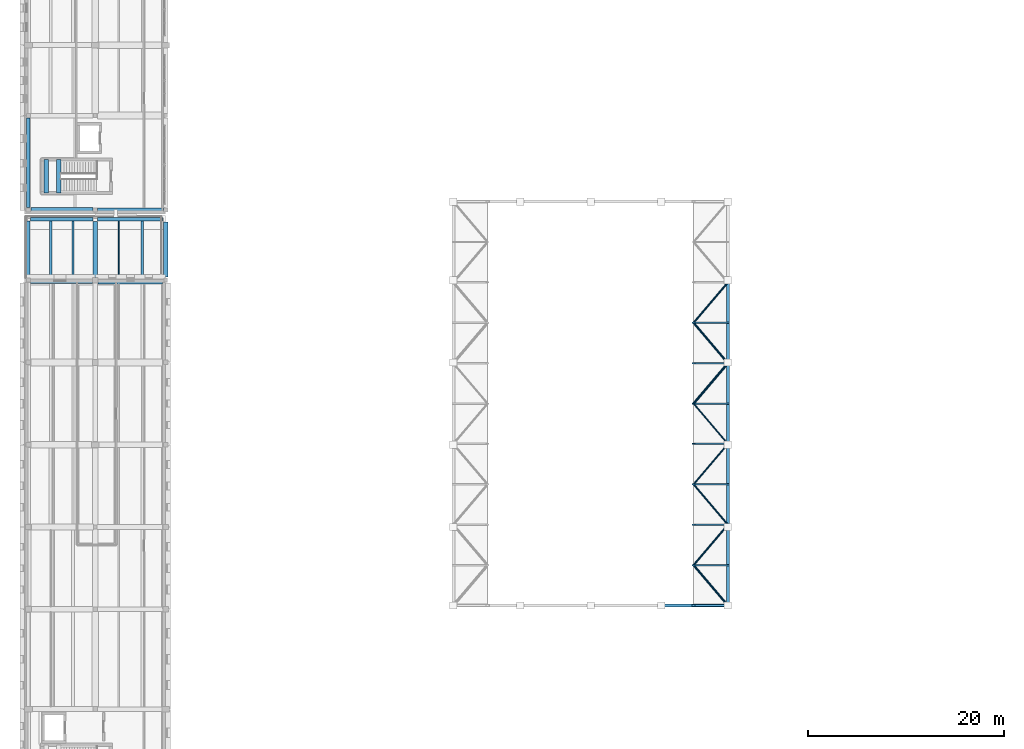
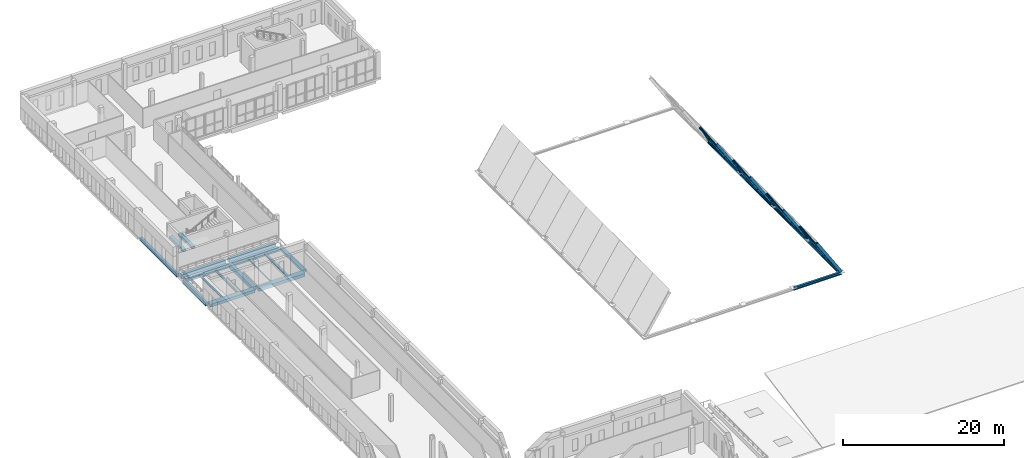
# One storey, part 13 of 56: 25 beams, 16 members.
"""IFC4 building model written with IfcOpenShell, lengths in metres."""

import ifcopenshell
import ifcopenshell.guid

model = None  # the IFC model being written
_history = None  # IfcOwnerHistory: only IFC2X3 demands one
_inside = {}  # id of a spatial element -> (the spatial element, [elements in it])
_under = {}  # id of a project, library or spatial element -> (it, [spatial elements below it])
_declared = {}  # id of a project -> (the project, [libraries it declares])
_typed = {}  # id of a type object -> (the type object, [elements of that type])
_made_of = {}  # id of a material, layer set ... -> (it, [elements and type objects made of it])


def new_model(schema):
    """Start an empty IFC model of exactly this schema.

    Asked for "IFC4X3", IfcOpenShell would pick the latest addendum, in which some entities
    have other attributes; the version numbers below select the first issue.
    IFC2X3 requires an IfcOwnerHistory on every rooted entity: one is made here for all.
    """
    global model, _history
    if schema == "IFC4X3":
        model = ifcopenshell.file(schema_version=(4, 3, 0, 0))
    else:
        model = ifcopenshell.file(schema=schema)
    _inside.clear()
    _under.clear()
    _declared.clear()
    _typed.clear()
    _made_of.clear()
    _history = None
    if model.schema == "IFC2X3":
        org = make("IfcOrganization", Name="unknown")
        user = make(
            "IfcPersonAndOrganization",
            ThePerson=make("IfcPerson", FamilyName="unknown"),
            TheOrganization=org,
        )
        app = make(
            "IfcApplication",
            ApplicationDeveloper=org,
            Version="unknown",
            ApplicationFullName="unknown",
            ApplicationIdentifier="unknown",
        )
        _history = make(
            "IfcOwnerHistory",
            OwningUser=user,
            OwningApplication=app,
            ChangeAction="ADDED",
            CreationDate=0,
        )
    return model


def make(cls, **values):
    """One entity of the class cls with the attributes given. An attribute that is None is left unset."""
    return model.create_entity(
        cls, **{name: value for name, value in values.items() if value is not None}
    )


def rooted(cls, **values):
    """An entity with a GlobalId (a new one), such as an element, a storey or a relation."""
    return make(cls, GlobalId=ifcopenshell.guid.new(), OwnerHistory=_history, **values)


def si_unit(unit_type, name, prefix=None):
    """IfcSIUnit, for example si_unit("LENGTHUNIT", "METRE", prefix="MILLI")."""
    return make("IfcSIUnit", UnitType=unit_type, Prefix=prefix, Name=name)


def assignment(units):
    """IfcUnitAssignment: the units of a project."""
    return None if units is None else make("IfcUnitAssignment", Units=units)


def point(xyz):
    """IfcCartesianPoint."""
    return None if xyz is None else make("IfcCartesianPoint", Coordinates=xyz)


def direction(xyz):
    """IfcDirection."""
    return None if xyz is None else make("IfcDirection", DirectionRatios=xyz)


def frame(location, z_axis=None, x_axis=None):
    """IfcAxis2Placement3D, a coordinate frame: its origin and axes. An axis left out is left unset."""
    return make(
        "IfcAxis2Placement3D",
        Location=point(location),
        Axis=direction(z_axis),
        RefDirection=direction(x_axis),
    )


def frame_2d(location, x_axis=None):
    """IfcAxis2Placement2D, a coordinate frame in the plane: its origin and x axis."""
    return make(
        "IfcAxis2Placement2D", Location=point(location), RefDirection=direction(x_axis)
    )


def origin():
    """The frame at (0, 0, 0) with its axes left unset."""
    return frame((0.0, 0.0, 0.0))


def origin_2d():
    """The frame at (0, 0) in the plane with its x axis left unset."""
    return frame_2d((0.0, 0.0))


def place(relative_to, where):
    """IfcLocalPlacement: puts the frame where relative to a parent placement (None: the world)."""
    return make(
        "IfcLocalPlacement", PlacementRelTo=relative_to, RelativePlacement=where
    )


def context(
    kind, dimensions, precision=None, world=None, true_north=None, identifier=None
):
    """IfcGeometricRepresentationContext, for example the 3D "Model" context."""
    return make(
        "IfcGeometricRepresentationContext",
        ContextIdentifier=identifier,
        ContextType=kind,
        CoordinateSpaceDimension=dimensions,
        Precision=precision,
        WorldCoordinateSystem=world,
        TrueNorth=true_north,
    )


def subcontext(parent, identifier, kind, view, scale=None):
    """IfcGeometricRepresentationSubContext, for example "Body" below "Model"."""
    return make(
        "IfcGeometricRepresentationSubContext",
        ContextIdentifier=identifier,
        ContextType=kind,
        ParentContext=parent,
        TargetScale=scale,
        TargetView=view,
    )


def project(units=None, contexts=None):
    """IfcProject with its units and contexts."""
    return rooted(
        "IfcProject",
        Name="project",
        RepresentationContexts=contexts,
        UnitsInContext=assignment(units),
    )


def spatial(cls, under=None, at=None, **own):
    """A site, building, storey or space (cls), placed at a placement, below another one or the project."""
    s = rooted(cls, ObjectPlacement=at, **own)
    if under is not None:
        _under.setdefault(under.id(), (under, []))[1].append(s)
    return s


def profile(cls, at=None, kind="AREA", **sizes):
    """A parametric profile (cls). Its sizes go by their IFC names, for example OverallWidth=200.0."""
    return make(cls, ProfileType=kind, Position=at, **sizes)


def rectangle(**sizes):
    """IfcRectangleProfileDef."""
    return profile("IfcRectangleProfileDef", **sizes)


def hollow_rectangle(**sizes):
    """IfcRectangleHollowProfileDef."""
    return profile("IfcRectangleHollowProfileDef", **sizes)


def hollow_circle(**sizes):
    """IfcCircleHollowProfileDef."""
    return profile("IfcCircleHollowProfileDef", **sizes)


def i_section(**sizes):
    """IfcIShapeProfileDef."""
    return profile("IfcIShapeProfileDef", **sizes)


def extrude(swept, where, along, depth):
    """IfcExtrudedAreaSolid: the profile swept, set in the frame where, extruded along a direction by depth."""
    return make(
        "IfcExtrudedAreaSolid",
        SweptArea=swept,
        Position=where,
        ExtrudedDirection=direction(along),
        Depth=depth,
    )


def shape(context_of_items, identifier, shape_type, items):
    """IfcShapeRepresentation: the items that make up one representation, for example the "Body"."""
    return make(
        "IfcShapeRepresentation",
        ContextOfItems=context_of_items,
        RepresentationIdentifier=identifier,
        RepresentationType=shape_type,
        Items=items,
    )


def material(Name=None, Category=None):
    """IfcMaterial."""
    return make("IfcMaterial", Name=Name, Category=Category)


def material_profile(
    of_material, cross_section, Name=None, Category=None, Priority=None
):
    """IfcMaterialProfile: a cross section and its material."""
    return make(
        "IfcMaterialProfile",
        Name=Name,
        Material=of_material,
        Profile=cross_section,
        Priority=Priority,
        Category=Category,
    )


def profile_set(profiles, Name=None, composite=None):
    """IfcMaterialProfileSet."""
    return make(
        "IfcMaterialProfileSet",
        Name=Name,
        MaterialProfiles=profiles,
        CompositeProfile=composite,
    )


def made_of(thing, what):
    """Note that an element or type object is made of a material, layer set ...; save() writes the relation."""
    if what is not None:
        _made_of.setdefault(what.id(), (what, []))[1].append(thing)
    return thing


def type_object(cls, material=None, **own):
    """A type object (cls), such as IfcWallType, which elements share."""
    return made_of(rooted(cls, **own), material)


def element(
    cls,
    number,
    at=None,
    inside=None,
    cuts=None,
    type_object=None,
    material=None,
    context=None,
    identifier="Body",
    shape_type=None,
    held_by="IfcProductDefinitionShape",
    body=None,
    shapes=None,
    **own,
):
    """One element of the class cls, such as IfcWall. Its Tag is "e" and its number.

    at: its placement. inside: the storey or other place that contains it. cuts: it is an
    opening in that element (IfcRelVoidsElement). A single representation is given by context,
    identifier, shape_type and body (its items); several are given by shapes. held_by: the class
    of the entity that holds the representations. save() writes the other relations.
    """
    e = rooted(cls, Tag="e%d" % number, ObjectPlacement=at, **own)
    if body is not None:
        shapes = [shape(context, identifier, shape_type, body)]
    if shapes is not None:
        e.Representation = make(held_by, Representations=shapes)
    if inside is not None:
        _inside.setdefault(inside.id(), (inside, []))[1].append(e)
    if cuts is not None:
        rooted(
            "IfcRelVoidsElement", RelatingBuildingElement=cuts, RelatedOpeningElement=e
        )
    if type_object is not None:
        _typed.setdefault(type_object.id(), (type_object, []))[1].append(e)
    return made_of(e, material)


def aggregate(whole, parts):
    """IfcRelAggregates: a whole, such as a stair, and the parts it consists of."""
    return rooted("IfcRelAggregates", RelatingObject=whole, RelatedObjects=parts)


def save(model, path):
    """Write the relations noted so far, then the file.

    IfcRelAggregates (storeys below a building ...), IfcRelContainedInSpatialStructure (elements
    in a storey), IfcRelDefinesByType, IfcRelAssociatesMaterial and IfcRelDeclares: one each for
    every whole, place, type object, material and project.
    """
    for whole, parts in _under.values():
        aggregate(whole, parts)
    for where, things in _inside.values():
        rooted(
            "IfcRelContainedInSpatialStructure",
            RelatedElements=things,
            RelatingStructure=where,
        )
    for kind, things in _typed.values():
        rooted("IfcRelDefinesByType", RelatedObjects=things, RelatingType=kind)
    for what, things in _made_of.values():
        rooted("IfcRelAssociatesMaterial", RelatedObjects=things, RelatingMaterial=what)
    for by, libraries in _declared.values():
        rooted("IfcRelDeclares", RelatingContext=by, RelatedDefinitions=libraries)
    model.write(path)


model = new_model("IFC4")

# Units and contexts
model_context = context("Model", 3, precision=1e-05, world=origin(), true_north=direction((0.0, 1.0)))
body_context = subcontext(model_context, "Body", "Model", "MODEL_VIEW")
ifc_project = project(units=[si_unit("LENGTHUNIT", "METRE"), si_unit("AREAUNIT", "SQUARE_METRE"), si_unit("VOLUMEUNIT", "CUBIC_METRE"), si_unit("PLANEANGLEUNIT", "RADIAN"), si_unit("MASSUNIT", "GRAM", prefix="KILO")], contexts=[model_context])

# Site, building, storey
site_placement = place(None, origin())
site = spatial("IfcSite", under=ifc_project, at=site_placement, CompositionType="ELEMENT")
building_placement = place(site_placement, origin())
building = spatial("IfcBuilding", under=site, at=building_placement, Name="Vardoun Plaza Health Centre", CompositionType="ELEMENT")
storey_placement = place(building_placement, frame((0.0, 0.0, 8.699951171875)))
storey = spatial("IfcBuildingStorey", under=building, at=storey_placement, Name="L02", CompositionType="ELEMENT", Elevation=8.699951171875)

# Beams
ifc_material_1 = material(Name="Concrete C35/45", Category="concrete")
ifc_material_profile_1 = material_profile(ifc_material_1, rectangle(XDim=0.35009765625, YDim=0.5, at=origin_2d()), Name="RC-BM 350x500")
ifc_profile_set_1 = profile_set([ifc_material_profile_1], Name="Concrete C35/45")
beam_type_1 = type_object("IfcBeamType", Name="B-08", PredefinedType="SPANDREL", material=ifc_profile_set_1)
beam_1_placement = place(storey_placement, frame((4.8798828125, 70.125, -0.530029296875), z_axis=(0.0, 1.0, 0.0), x_axis=(-1.0, 0.0, 0.0)))
element("IfcBeam", 1, at=beam_1_placement, inside=storey, type_object=beam_type_1, Name="V2 L02 Beam B-V2-L02-Y41", PredefinedType="SPANDREL", context=body_context, shape_type="SweptSolid", body=[
    extrude(rectangle(XDim=0.35009765625, YDim=0.5, at=origin_2d()), origin(), (0.0, 0.0, 1.0), 5.794921875),
])
beam_2_placement = place(storey_placement, frame((4.8798828125, 77.31005859375, -0.514892578125), z_axis=(0.0, 1.0, 0.0), x_axis=(-1.0, 0.0, 0.0)))
element("IfcBeam", 2, at=beam_2_placement, inside=storey, type_object=beam_type_1, Name="V3 L02 Beam B-V3-L02-Y25", PredefinedType="SPANDREL", context=body_context, shape_type="SweptSolid", body=[
    extrude(rectangle(XDim=0.35009765625, YDim=0.5, at=origin_2d()), origin(), (0.0, 0.0, 1.0), 9.1650390625),
])
ifc_material_2 = material(Name="Concrete C35/45", Category="concrete")
ifc_material_profile_2 = material_profile(ifc_material_2, rectangle(XDim=0.39990234375, YDim=0.550048828125, at=origin_2d()), Name="RC-BM 400x550")
ifc_profile_set_2 = profile_set([ifc_material_profile_2], Name="Concrete C35/45")
beam_type_2 = type_object("IfcBeamType", Name="B-09", PredefinedType="SPANDREL", material=ifc_profile_set_2)
beam_3_placement = place(storey_placement, frame((5.080078125, 76.1201171875, -0.554931640625), z_axis=(1.0, 0.0, 0.0), x_axis=(0.0, 1.0, 0.0)))
element("IfcBeam", 3, at=beam_3_placement, inside=storey, type_object=beam_type_2, Name="V2 L02 Beam B-V2-L02-X10", PredefinedType="SPANDREL", context=body_context, shape_type="SweptSolid", body=[
    extrude(rectangle(XDim=0.39990234375, YDim=0.550048828125, at=origin_2d()), origin(), (0.0, 0.0, 1.0), 6.369873046875),
])
beam_4_placement = place(storey_placement, frame((11.949951171875, 76.1201171875, -0.554931640625), z_axis=(1.0, 0.0, 0.0), x_axis=(0.0, 1.0, 0.0)))
element("IfcBeam", 4, at=beam_4_placement, inside=storey, type_object=beam_type_2, Name="V2 L02 Beam B-V2-L02-X20", PredefinedType="SPANDREL", context=body_context, shape_type="SweptSolid", body=[
    extrude(rectangle(XDim=0.39990234375, YDim=0.550048828125, at=origin_2d()), origin(), (0.0, 0.0, 1.0), 6.650146484375),
])
ifc_material_3 = material(Name="Concrete C35/45", Category="concrete")
ifc_material_profile_3 = material_profile(ifc_material_3, rectangle(XDim=0.449951171875, YDim=0.3798828125, at=origin_2d()), Name="RC-BM 450x380")
ifc_profile_set_3 = profile_set([ifc_material_profile_3], Name="Concrete C35/45")
beam_type_3 = type_object("IfcBeamType", Name="B-01", PredefinedType="BEAM", material=ifc_profile_set_3)
for number, where, z_axis, x_axis, name in (
    (5, (6.679931640625, 78.800048828125, 1.7099609375), (0.0, 1.0, 0.0), (-1.0, 0.0, 0.0), "Stair ST-C3-L02 Landing Beam 1"),
    (6, (7.9599609375, 78.800048828125, 1.7099609375), (0.0, 1.0, 0.0), (-1.0, 0.0, 0.0), "Stair ST-C3-L02 Landing Beam 2"),
):
    element("IfcBeam", number, at=place(storey_placement, frame(where, z_axis=z_axis, x_axis=x_axis)), inside=storey, type_object=beam_type_3, Name=name, PredefinedType="BEAM", context=body_context, shape_type="SweptSolid", body=[
        extrude(rectangle(XDim=0.449951171875, YDim=0.3798828125, at=origin_2d()), origin(), (0.0, 0.0, 1.0), 3.39990234375),
    ])
ifc_material_4 = material(Name="Concrete C35/45", Category="concrete")
ifc_material_profile_4 = material_profile(ifc_material_4, rectangle(XDim=0.449951171875, YDim=0.60009765625, at=origin_2d()), Name="RC-BM 450x600")
ifc_profile_set_4 = profile_set([ifc_material_profile_4], Name="Concrete C35/45")
beam_type_4 = type_object("IfcBeamType", Name="B-11", PredefinedType="SPANDREL", material=ifc_profile_set_4)
beam_5_placement = place(storey_placement, frame((11.949951171875, 77.06005859375, -0.56494140625), z_axis=(1.0, 0.0, 0.0), x_axis=(0.0, 1.0, 0.0)))
element("IfcBeam", 7, at=beam_5_placement, inside=storey, type_object=beam_type_4, Name="V3 L02 Beam B-V3-L02-X07", PredefinedType="SPANDREL", context=body_context, shape_type="SweptSolid", body=[
    extrude(rectangle(XDim=0.449951171875, YDim=0.60009765625, at=origin_2d()), origin(), (0.0, 0.0, 1.0), 6.699951171875),
])
ifc_material_5 = material(Name="Concrete C35/45", Category="concrete")
ifc_material_profile_5 = material_profile(ifc_material_5, rectangle(XDim=0.47998046875, YDim=0.6201171875, at=origin_2d()), Name="RC-BM 480x620")
ifc_profile_set_5 = profile_set([ifc_material_profile_5], Name="Concrete C35/45")
beam_type_5 = type_object("IfcBeamType", Name="B-12", PredefinedType="SPANDREL", material=ifc_profile_set_5)
beam_6_placement = place(storey_placement, frame((5.1298828125, 77.06005859375, -0.574951171875), z_axis=(1.0, 0.0, 0.0), x_axis=(0.0, 1.0, 0.0)))
element("IfcBeam", 8, at=beam_6_placement, inside=storey, type_object=beam_type_5, Name="V3 L02 Beam B-V3-L02-X01", PredefinedType="SPANDREL", context=body_context, shape_type="SweptSolid", body=[
    extrude(rectangle(XDim=0.47998046875, YDim=0.6201171875, at=origin_2d()), origin(), (0.0, 0.0, 1.0), 6.320068359375),
])
ifc_material_6 = material(Name="Concrete C35/45", Category="concrete")
ifc_material_profile_6 = material_profile(ifc_material_6, rectangle(XDim=0.5, YDim=0.39990234375, at=origin_2d()), Name="RC-BM 500x400")
ifc_profile_set_6 = profile_set([ifc_material_profile_6], Name="Concrete C35/45")
beam_type_6 = type_object("IfcBeamType", Name="B-02", PredefinedType="BEAM", material=ifc_profile_set_6)
beam_7_placement = place(storey_placement, frame((18.89990234375, 70.22509765625, -0.47998046875), z_axis=(0.0, 1.0, 0.0), x_axis=(-1.0, 0.0, 0.0)))
element("IfcBeam", 9, at=beam_7_placement, inside=storey, type_object=beam_type_6, Name="V2 L02 Beam B-V2-L02-Y57", PredefinedType="BEAM", context=body_context, shape_type="SweptSolid", body=[
    extrude(rectangle(XDim=0.5, YDim=0.39990234375, at=origin_2d()), origin(), (0.0, 0.0, 1.0), 5.594970703125),
])
ifc_material_7 = material(Name="Concrete C40/50", Category="concrete")
ifc_material_profile_7 = material_profile(ifc_material_7, rectangle(XDim=0.5, YDim=0.64990234375, at=origin_2d()), Name="RC-BM 500x650")
ifc_profile_set_7 = profile_set([ifc_material_profile_7], Name="Concrete C40/50")
beam_type_7 = type_object("IfcBeamType", Name="B-13", PredefinedType="BEAM", material=ifc_profile_set_7)
beam_8_placement = place(storey_placement, frame((11.699951171875, 70.175048828125, -0.60498046875), z_axis=(0.0, 1.0, 0.0), x_axis=(-1.0, 0.0, 0.0)))
element("IfcBeam", 10, at=beam_8_placement, inside=storey, type_object=beam_type_7, Name="V2 L02 Beam B-V2-L02-Y48", PredefinedType="BEAM", context=body_context, shape_type="SweptSolid", body=[
    extrude(rectangle(XDim=0.5, YDim=0.64990234375, at=origin_2d()), origin(), (0.0, 0.0, 1.0), 5.695068359375),
])
ifc_material_8 = material(Name="Concrete C35/45", Category="concrete")
ifc_material_profile_8 = material_profile(ifc_material_8, rectangle(XDim=0.699951171875, YDim=0.449951171875, at=origin_2d()), Name="RC-BM 700x450")
ifc_profile_set_8 = profile_set([ifc_material_profile_8], Name="Concrete C35/45")
beam_type_8 = type_object("IfcBeamType", Name="B-06", PredefinedType="BEAM", material=ifc_profile_set_8)
beam_9_placement = place(storey_placement, frame((5.10498046875, 69.900146484375, -0.5048828125), z_axis=(1.0, 0.0, 0.0), x_axis=(0.0, 1.0, 0.0)))
element("IfcBeam", 11, at=beam_9_placement, inside=storey, type_object=beam_type_8, Name="V2 L02 Beam B-V2-L02-X09", PredefinedType="BEAM", context=body_context, shape_type="SweptSolid", body=[
    extrude(rectangle(XDim=0.699951171875, YDim=0.449951171875, at=origin_2d()), origin(), (0.0, 0.0, 1.0), 6.320068359375),
])
ifc_material_9 = material(Name="Concrete C35/45", Category="concrete")
ifc_material_profile_9 = material_profile(ifc_material_9, rectangle(XDim=0.75, YDim=0.47998046875, at=origin_2d()), Name="RC-BM 750x480")
ifc_profile_set_9 = profile_set([ifc_material_profile_9], Name="Concrete C35/45")
beam_type_9 = type_object("IfcBeamType", Name="B-07", PredefinedType="BEAM", material=ifc_profile_set_9)
beam_10_placement = place(storey_placement, frame((11.97509765625, 69.900146484375, -0.52001953125), z_axis=(1.0, 0.0, 0.0), x_axis=(0.0, 1.0, 0.0)))
element("IfcBeam", 12, at=beam_10_placement, inside=storey, type_object=beam_type_9, Name="V2 L02 Beam B-V2-L02-X19", PredefinedType="BEAM", context=body_context, shape_type="SweptSolid", body=[
    extrude(rectangle(XDim=0.75, YDim=0.47998046875, at=origin_2d()), origin(), (0.0, 0.0, 1.0), 6.599853515625),
])
ifc_material_10 = material(Name="Steel S355J2", Category="steel")
ifc_material_profile_10 = material_profile(ifc_material_10, i_section(OverallWidth=0.219970703125, OverallDepth=0.2099609375, WebThickness=0.007080078125, FlangeThickness=0.010986328125, FilletRadius=0.01806640625, at=origin_2d()), Name="HEA 220")
ifc_profile_set_10 = profile_set([ifc_material_profile_10], Name="Steel S355J2")
beam_type_10 = type_object("IfcBeamType", Name="SB-08", PredefinedType="BEAM", material=ifc_profile_set_10)
beam_11_placement = place(storey_placement, frame((7.153076171875, 70.25, -0.385009765625), z_axis=(0.0, 1.0, 0.0), x_axis=(-1.0, 0.0, 0.0)))
element("IfcBeam", 13, at=beam_11_placement, inside=storey, type_object=beam_type_10, Name="V2 L02 Secondary Floor Beam SJ-V2-L02-07", PredefinedType="BEAM", context=body_context, shape_type="SweptSolid", body=[
    extrude(i_section(OverallWidth=0.219970703125, OverallDepth=0.2099609375, WebThickness=0.007080078125, FlangeThickness=0.010986328125, FilletRadius=0.01806640625, at=origin_2d()), origin(), (0.0, 0.0, 1.0), 5.669921875),
])
ifc_material_11 = material(Name="Steel S355J2", Category="steel")
ifc_material_profile_11 = material_profile(ifc_material_11, i_section(OverallWidth=0.280029296875, OverallDepth=0.280029296875, WebThickness=0.010498046875, FlangeThickness=0.01806640625, FilletRadius=0.02392578125, at=origin_2d()), Name="HEB 280")
ifc_profile_set_11 = profile_set([ifc_material_profile_11], Name="Steel S355J2")
beam_type_11 = type_object("IfcBeamType", Name="SB-02", PredefinedType="BEAM", material=ifc_profile_set_11)
beam_12_placement = place(storey_placement, frame((16.500244140625, 70.275146484375, -0.419921875), z_axis=(0.0, 1.0, 0.0), x_axis=(-1.0, 0.0, 0.0)))
element("IfcBeam", 14, at=beam_12_placement, inside=storey, type_object=beam_type_11, Name="V2 L02 Secondary Floor Beam SJ-V2-L02-28", PredefinedType="BEAM", context=body_context, shape_type="SweptSolid", body=[
    extrude(i_section(OverallWidth=0.280029296875, OverallDepth=0.280029296875, WebThickness=0.010498046875, FlangeThickness=0.01806640625, FilletRadius=0.02392578125, at=origin_2d()), origin(), (0.0, 0.0, 1.0), 5.644775390625),
])
ifc_material_12 = material(Name="Steel S355J2", Category="steel")
ifc_material_profile_12 = material_profile(ifc_material_12, i_section(OverallWidth=0.300048828125, OverallDepth=0.39990234375, WebThickness=0.013427734375, FlangeThickness=0.02392578125, FilletRadius=0.027099609375, at=origin_2d()), Name="HEB 400")
ifc_profile_set_12 = profile_set([ifc_material_profile_12], Name="Steel S355J2")
beam_type_12 = type_object("IfcBeamType", Name="RB-03", PredefinedType="BEAM", material=ifc_profile_set_12)
beam_13_placement = place(storey_placement, frame((69.47998046875, 36.679931640625, -0.5), z_axis=(1.0, 0.0, 0.0), x_axis=(0.0, 1.0, 0.0)))
element("IfcBeam", 15, at=beam_13_placement, inside=storey, type_object=beam_type_12, Name="Gridshell Gable Tie Beam S04", PredefinedType="BEAM", context=body_context, shape_type="SweptSolid", body=[
    extrude(i_section(OverallWidth=0.300048828125, OverallDepth=0.39990234375, WebThickness=0.013427734375, FlangeThickness=0.02392578125, FilletRadius=0.027099609375, at=origin_2d()), origin(), (0.0, 0.0, 1.0), 6.820068359375),
])
ifc_material_13 = material(Name="Steel S355J2", Category="steel")
ifc_material_profile_13 = material_profile(ifc_material_13, i_section(OverallWidth=0.300048828125, OverallDepth=0.449951171875, WebThickness=0.013916015625, FlangeThickness=0.02587890625, FilletRadius=0.027099609375, at=origin_2d()), Name="HEB 450")
ifc_profile_set_13 = profile_set([ifc_material_profile_13], Name="Steel S355J2")
beam_type_13 = type_object("IfcBeamType", Name="RB-02", PredefinedType="BEAM", material=ifc_profile_set_13)
for number, where, z_axis, x_axis, name in (
    (16, (76.300048828125, 36.679931640625, -0.550048828125), (0.0, 1.0, 0.0), (-1.0, 0.0, 0.0), "Gridshell Ring Beam E01"),
    (17, (76.300048828125, 40.803955078125, -0.550048828125), (0.0, 1.0, 0.0), (-1.0, 0.0, 0.0), "Gridshell Ring Beam E02"),
    (18, (76.300048828125, 44.927978515625, -0.550048828125), (0.0, 1.0, 0.0), (-1.0, 0.0, 0.0), "Gridshell Ring Beam E03"),
    (19, (76.300048828125, 49.052001953125, -0.550048828125), (0.0, 1.0, 0.0), (-1.0, 0.0, 0.0), "Gridshell Ring Beam E04"),
    (20, (76.300048828125, 53.176025390625, -0.550048828125), (0.0, 1.0, 0.0), (-1.0, 0.0, 0.0), "Gridshell Ring Beam E05"),
    (21, (76.300048828125, 57.300048828125, -0.550048828125), (0.0, 1.0, 0.0), (-1.0, 0.0, 0.0), "Gridshell Ring Beam E06"),
    (22, (76.300048828125, 61.424072265625, -0.550048828125), (0.0, 1.0, 0.0), (-1.0, 0.0, 0.0), "Gridshell Ring Beam E07"),
    (23, (76.300048828125, 65.548095703125, -0.550048828125), (0.0, 1.0, 0.0), (-1.0, 0.0, 0.0), "Gridshell Ring Beam E08"),
):
    element("IfcBeam", number, at=place(storey_placement, frame(where, z_axis=z_axis, x_axis=x_axis)), inside=storey, type_object=beam_type_13, Name=name, PredefinedType="BEAM", context=body_context, shape_type="SweptSolid", body=[
        extrude(i_section(OverallWidth=0.300048828125, OverallDepth=0.449951171875, WebThickness=0.013916015625, FlangeThickness=0.02587890625, FilletRadius=0.027099609375, at=origin_2d()), origin(), (0.0, 0.0, 1.0), 4.1240234375),
    ])
ifc_material_14 = material(Name="Steel S355J2", Category="steel")
ifc_material_profile_14 = material_profile(ifc_material_14, i_section(OverallWidth=0.091064453125, OverallDepth=0.179931640625, WebThickness=0.00537109375, FlangeThickness=0.008056640625, FilletRadius=0.009033203125, at=origin_2d()), Name="IPE 180")
ifc_profile_set_14 = profile_set([ifc_material_profile_14], Name="Steel S355J2")
beam_type_14 = type_object("IfcBeamType", Name="SB-20", PredefinedType="SPANDREL", material=ifc_profile_set_14)
beam_14_placement = place(storey_placement, frame((14.099853515625, 70.275146484375, -0.369873046875), z_axis=(0.0, 1.0, 0.0), x_axis=(-1.0, 0.0, 0.0)))
element("IfcBeam", 24, at=beam_14_placement, inside=storey, type_object=beam_type_14, Name="V2 L02 Secondary Floor Beam SJ-V2-L02-21", PredefinedType="SPANDREL", context=body_context, shape_type="SweptSolid", body=[
    extrude(i_section(OverallWidth=0.091064453125, OverallDepth=0.179931640625, WebThickness=0.00537109375, FlangeThickness=0.008056640625, FilletRadius=0.009033203125, at=origin_2d()), origin(), (0.0, 0.0, 1.0), 5.644775390625),
])
ifc_material_15 = material(Name="Steel S355J2", Category="steel")
ifc_material_profile_15 = material_profile(ifc_material_15, i_section(OverallWidth=0.169921875, OverallDepth=0.360107421875, WebThickness=0.008056640625, FlangeThickness=0.0126953125, FilletRadius=0.01806640625, at=origin_2d()), Name="IPE 360")
ifc_profile_set_15 = profile_set([ifc_material_profile_15], Name="Steel S355J2")
beam_type_15 = type_object("IfcBeamType", Name="SB-13", PredefinedType="JOIST", material=ifc_profile_set_15)
beam_15_placement = place(storey_placement, frame((9.427001953125, 70.25, -0.4599609375), z_axis=(0.0, 1.0, 0.0), x_axis=(-1.0, 0.0, 0.0)))
element("IfcBeam", 25, at=beam_15_placement, inside=storey, type_object=beam_type_15, Name="V2 L02 Secondary Floor Beam SJ-V2-L02-14", PredefinedType="JOIST", context=body_context, shape_type="SweptSolid", body=[
    extrude(i_section(OverallWidth=0.169921875, OverallDepth=0.360107421875, WebThickness=0.008056640625, FlangeThickness=0.0126953125, FilletRadius=0.01806640625, at=origin_2d()), origin(), (0.0, 0.0, 1.0), 5.669921875),
])

# Members
ifc_material_16 = material(Name="Steel S355J2H", Category="steel")
ifc_material_profile_16 = material_profile(ifc_material_16, hollow_rectangle(XDim=0.199951171875, YDim=0.39990234375, WallThickness=0.012451171875, at=origin_2d()), Name="RHS 400x200x12.5")
ifc_profile_set_16 = profile_set([ifc_material_profile_16], Name="Steel S355J2H")
member_type_1 = type_object("IfcMemberType", Name="GS-A1", PredefinedType="CHORD", material=ifc_profile_set_16)
member_1_placement = place(storey_placement, frame((76.300048828125, 36.679931640625, -0.300048828125), z_axis=(-0.536553831732, 0.0, 0.843866094623), x_axis=(0.0, -1.0, 0.0)))
element("IfcMember", 26, at=member_1_placement, inside=storey, type_object=member_type_1, Name="Gridshell Arch Rib GA-01-08", PredefinedType="CHORD", context=body_context, shape_type="SweptSolid", body=[
    extrude(hollow_rectangle(XDim=0.199951171875, YDim=0.39990234375, WallThickness=0.012451171875, at=origin_2d()), origin(), (0.0, 0.0, 1.0), 6.53271484375),
])
ifc_material_17 = material(Name="Steel S355J2H", Category="steel")
ifc_material_profile_17 = material_profile(ifc_material_17, hollow_rectangle(XDim=0.14990234375, YDim=0.35009765625, WallThickness=0.010009765625, at=origin_2d()), Name="RHS 350x150x10.0")
ifc_profile_set_17 = profile_set([ifc_material_profile_17], Name="Steel S355J2H")
member_type_2 = type_object("IfcMemberType", Name="GS-A2", PredefinedType="CHORD", material=ifc_profile_set_17)
for number, where, z_axis, x_axis, name in (
    (27, (76.300048828125, 40.803955078125, -0.300048828125), (-0.536553831732, 0.0, 0.843866094623), (0.0, -1.0, 0.0), "Gridshell Arch Rib GA-02-08"),
    (28, (76.300048828125, 44.927978515625, -0.300048828125), (-0.536553831732, 0.0, 0.843866094623), (0.0, -1.0, 0.0), "Gridshell Arch Rib GA-03-08"),
    (29, (76.300048828125, 49.052001953125, -0.300048828125), (-0.536553831732, 0.0, 0.843866094623), (0.0, -1.0, 0.0), "Gridshell Arch Rib GA-04-08"),
    (30, (76.300048828125, 53.176025390625, -0.300048828125), (-0.536553831732, 0.0, 0.843866094623), (0.0, -1.0, 0.0), "Gridshell Arch Rib GA-05-08"),
    (31, (76.300048828125, 57.300048828125, -0.300048828125), (-0.536553831732, 0.0, 0.843866094623), (0.0, -1.0, 0.0), "Gridshell Arch Rib GA-06-08"),
    (32, (76.300048828125, 61.424072265625, -0.300048828125), (-0.536553831732, 0.0, 0.843866094623), (0.0, -1.0, 0.0), "Gridshell Arch Rib GA-07-08"),
    (33, (76.300048828125, 65.548095703125, -0.300048828125), (-0.536553831732, 0.0, 0.843866094623), (0.0, -1.0, 0.0), "Gridshell Arch Rib GA-08-08"),
):
    element("IfcMember", number, at=place(storey_placement, frame(where, z_axis=z_axis, x_axis=x_axis)), inside=storey, type_object=member_type_2, Name=name, PredefinedType="CHORD", context=body_context, shape_type="SweptSolid", body=[
        extrude(hollow_rectangle(XDim=0.14990234375, YDim=0.35009765625, WallThickness=0.010009765625, at=origin_2d()), origin(), (0.0, 0.0, 1.0), 6.53271484375),
    ])
ifc_material_18 = material(Name="Steel S355J2H", Category="steel")
ifc_material_profile_18 = material_profile(ifc_material_18, hollow_circle(Radius=0.122314453125, WallThickness=0.012451171875, at=origin_2d()), Name="CHS 244.5x12.5")
ifc_profile_set_18 = profile_set([ifc_material_profile_18], Name="Steel S355J2H")
member_type_3 = type_object("IfcMemberType", Name="GS-D1", PredefinedType="BRACE", material=ifc_profile_set_18)
member_2_placement = place(storey_placement, frame((76.300048828125, 61.424072265625, -0.300048828125), z_axis=(-0.453708964911, -0.533819867332, 0.713571667319), x_axis=(0.761966028439, -0.647616994453, 0.0)))
element("IfcMember", 34, at=member_2_placement, inside=storey, type_object=member_type_3, Name="Gridshell Diagonal GD-06-08", PredefinedType="BRACE", context=body_context, shape_type="SweptSolid", body=[
    extrude(hollow_circle(Radius=0.122314453125, WallThickness=0.012451171875, at=origin_2d()), origin(), (0.0, 0.0, 1.0), 7.7255859375),
])
ifc_material_19 = material(Name="Steel S355J2H", Category="steel")
ifc_material_profile_19 = material_profile(ifc_material_19, hollow_circle(Radius=0.109619140625, WallThickness=0.010009765625, at=origin_2d()), Name="CHS 219.1x10.0")
ifc_profile_set_19 = profile_set([ifc_material_profile_19], Name="Steel S355J2H")
member_type_4 = type_object("IfcMemberType", Name="GS-D2", PredefinedType="BRACE", material=ifc_profile_set_19)
for number, where, z_axis, x_axis, name in (
    (35, (76.300048828125, 36.679931640625, -0.300048828125), (-0.453708964911, 0.533819867332, 0.713571667319), (-0.761966028439, -0.647616994453, 0.0), "Gridshell Diagonal GD-01-08"),
    (36, (76.300048828125, 61.424072265625, -0.300048828125), (-0.453708964911, 0.533819867332, 0.713571667319), (-0.761966028439, -0.647616994453, 0.0), "Gridshell Diagonal GD-07-08"),
):
    element("IfcMember", number, at=place(storey_placement, frame(where, z_axis=z_axis, x_axis=x_axis)), inside=storey, type_object=member_type_4, Name=name, PredefinedType="BRACE", context=body_context, shape_type="SweptSolid", body=[
        extrude(hollow_circle(Radius=0.109619140625, WallThickness=0.010009765625, at=origin_2d()), origin(), (0.0, 0.0, 1.0), 7.7255859375),
    ])
ifc_material_20 = material(Name="Steel S355J2H", Category="steel")
ifc_material_profile_20 = material_profile(ifc_material_20, hollow_circle(Radius=0.096923828125, WallThickness=0.010009765625, at=origin_2d()), Name="CHS 193.7x10.0")
ifc_profile_set_20 = profile_set([ifc_material_profile_20], Name="Steel S355J2H")
member_type_5 = type_object("IfcMemberType", Name="GS-D3", PredefinedType="BRACE", material=ifc_profile_set_20)
for number, where, z_axis, x_axis, name in (
    (37, (76.300048828125, 44.927978515625, -0.300048828125), (-0.453708964911, -0.533819867332, 0.713571667319), (0.761966028439, -0.647616994453, 0.0), "Gridshell Diagonal GD-02-08"),
    (38, (76.300048828125, 69.672119140625, -0.300048828125), (-0.453708964911, -0.533819867332, 0.713571667319), (0.761966028439, -0.647616994453, 0.0), "Gridshell Diagonal GD-08-08"),
):
    element("IfcMember", number, at=place(storey_placement, frame(where, z_axis=z_axis, x_axis=x_axis)), inside=storey, type_object=member_type_5, Name=name, PredefinedType="BRACE", context=body_context, shape_type="SweptSolid", body=[
        extrude(hollow_circle(Radius=0.096923828125, WallThickness=0.010009765625, at=origin_2d()), origin(), (0.0, 0.0, 1.0), 7.7255859375),
    ])
ifc_material_21 = material(Name="Steel S355J2H", Category="steel")
ifc_material_profile_21 = material_profile(ifc_material_21, hollow_circle(Radius=0.0888671875, WallThickness=0.008056640625, at=origin_2d()), Name="CHS 177.8x8.0")
ifc_profile_set_21 = profile_set([ifc_material_profile_21], Name="Steel S355J2H")
member_type_6 = type_object("IfcMemberType", Name="GS-D4", PredefinedType="BRACE", material=ifc_profile_set_21)
member_3_placement = place(storey_placement, frame((76.300048828125, 44.927978515625, -0.300048828125), z_axis=(-0.453708964911, 0.533819867332, 0.713571667319), x_axis=(-0.761966028439, -0.647616994453, 0.0)))
element("IfcMember", 39, at=member_3_placement, inside=storey, type_object=member_type_6, Name="Gridshell Diagonal GD-03-08", PredefinedType="BRACE", context=body_context, shape_type="SweptSolid", body=[
    extrude(hollow_circle(Radius=0.0888671875, WallThickness=0.008056640625, at=origin_2d()), origin(), (0.0, 0.0, 1.0), 7.7255859375),
])
ifc_material_22 = material(Name="Steel S355J2H", Category="steel")
ifc_material_profile_22 = material_profile(ifc_material_22, hollow_circle(Radius=0.084228515625, WallThickness=0.008056640625, at=origin_2d()), Name="CHS 168.3x8.0")
ifc_profile_set_22 = profile_set([ifc_material_profile_22], Name="Steel S355J2H")
member_type_7 = type_object("IfcMemberType", Name="GS-D5", PredefinedType="BRACE", material=ifc_profile_set_22)
member_4_placement = place(storey_placement, frame((76.300048828125, 53.176025390625, -0.300048828125), z_axis=(-0.453708964911, -0.533819867332, 0.713571667319), x_axis=(0.761966028439, -0.647616994453, 0.0)))
element("IfcMember", 40, at=member_4_placement, inside=storey, type_object=member_type_7, Name="Gridshell Diagonal GD-04-08", PredefinedType="BRACE", context=body_context, shape_type="SweptSolid", body=[
    extrude(hollow_circle(Radius=0.084228515625, WallThickness=0.008056640625, at=origin_2d()), origin(), (0.0, 0.0, 1.0), 7.7255859375),
])
ifc_material_23 = material(Name="Steel S355J2H", Category="steel")
ifc_material_profile_23 = material_profile(ifc_material_23, hollow_circle(Radius=0.076171875, WallThickness=0.008056640625, at=origin_2d()), Name="CHS 152.4x8.0")
ifc_profile_set_23 = profile_set([ifc_material_profile_23], Name="Steel S355J2H")
member_type_8 = type_object("IfcMemberType", Name="GS-D6", PredefinedType="BRACE", material=ifc_profile_set_23)
member_5_placement = place(storey_placement, frame((76.300048828125, 53.176025390625, -0.300048828125), z_axis=(-0.453708964911, 0.533819867332, 0.713571667319), x_axis=(-0.761966028439, -0.647616994453, 0.0)))
element("IfcMember", 41, at=member_5_placement, inside=storey, type_object=member_type_8, Name="Gridshell Diagonal GD-05-08", PredefinedType="BRACE", context=body_context, shape_type="SweptSolid", body=[
    extrude(hollow_circle(Radius=0.076171875, WallThickness=0.008056640625, at=origin_2d()), origin(), (0.0, 0.0, 1.0), 7.7255859375),
])

save(model, "model.ifc")
